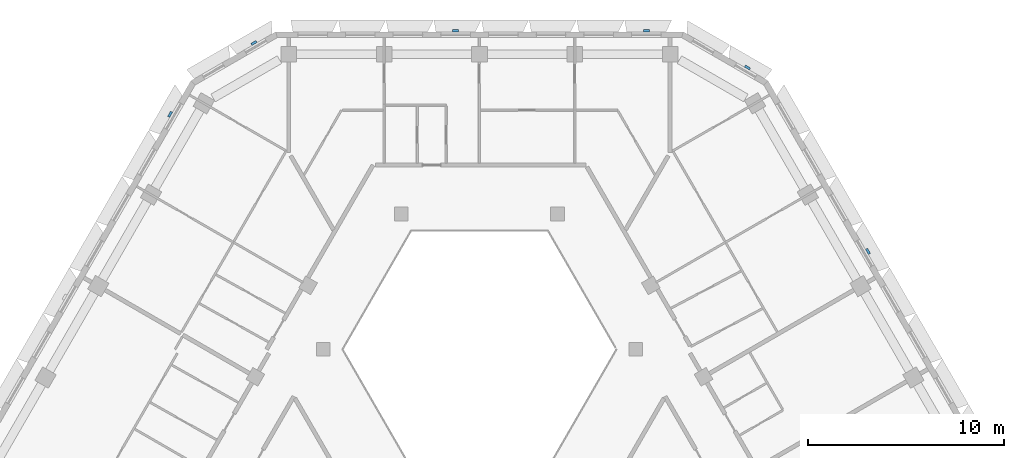
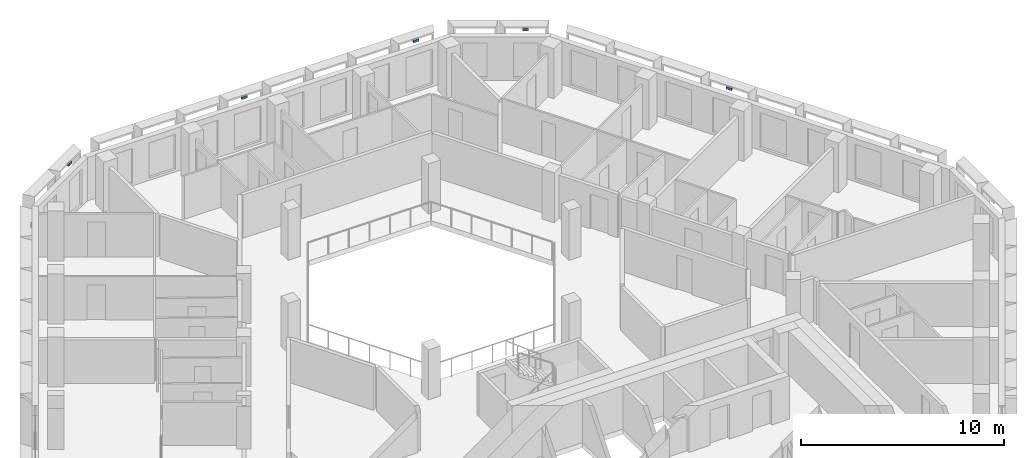
# One storey, part 11 of 18: 6 discrete accessories.
"""IFC4 building model written with IfcOpenShell, lengths in metres."""

from ifc_helpers import new_model, si_unit, direction, frame, origin, place, context, subcontext, project, spatial, polyline, outline, extrude, source, transform, mapped, material, type_object, type_shapes, element, save


model = new_model("IFC4")

# Units and contexts
model_context = context("Model", 3, precision=1e-05, world=origin(), true_north=direction((0.0, 1.0)))
body_context = subcontext(model_context, "Body", "Model", "MODEL_VIEW")
ifc_project = project(units=[si_unit("LENGTHUNIT", "METRE"), si_unit("AREAUNIT", "SQUARE_METRE"), si_unit("VOLUMEUNIT", "CUBIC_METRE"), si_unit("PLANEANGLEUNIT", "RADIAN"), si_unit("MASSUNIT", "GRAM", prefix="KILO")], contexts=[model_context])

# Site, building, storey
site_placement = place(None, origin())
site = spatial("IfcSite", under=ifc_project, at=site_placement, CompositionType="ELEMENT")
building_placement = place(site_placement, origin())
building = spatial("IfcBuilding", under=site, at=building_placement, Name="Beryl Residences", CompositionType="ELEMENT")
storey_placement = place(building_placement, frame((0.0, 0.0, 196.199951171875)))
storey = spatial("IfcBuildingStorey", under=building, at=storey_placement, Name="L60", CompositionType="ELEMENT", Elevation=196.199951171875)

# Discrete accessories
ifc_material = material(Name="Steel S355", Category="steel")
discrete_accessory_type = type_object("IfcDiscreteAccessoryType", Name="BR1 frame bracket 300 x 120 x 150 mm", PredefinedType="BRACKET", material=ifc_material)
shared_shape = source(origin(), body_context, "Body", "SweptSolid", [
    extrude(outline(polyline([(-0.14990234375, 0.0), (0.14990234375, 0.0), (0.14990234375, 0.1201171875), (-0.14990234375, 0.1201171875), (-0.14990234375, 0.0)])), origin(), (0.0, 0.0, 1.0), 0.14990234375),
])
type_shapes(discrete_accessory_type, [shared_shape])
for number, where, z_axis, x_axis, name in (
    (1, (8.511962890625, 24.199951171875, 2.75), (0.0, 0.0, 1.0), (1.0, 0.0, 0.0), "BR1 bracket L60 N 1"),
    (2, (-1.216064453125, 24.199951171875, 2.75), (0.0, 0.0, 1.0), (1.0, 0.0, 0.0), "BR1 bracket L60 N 5"),
    (3, (-11.47412109375, 23.574951171875, 2.75), (0.0, 0.0, 1.0), (0.866025403784, 0.5, 0.0), "BR1 bracket L60 N-NW 1"),
    (4, (-15.72705078125, 19.9599609375, 2.75), (0.0, 0.0, 1.0), (0.5, 0.866025403784, 0.0), "BR1 bracket L60 NW 1"),
    (5, (19.764892578125, 12.966064453125, 2.75), (0.0, 0.0, 1.0), (0.5, -0.866025403784, 0.0), "BR1 bracket L60 NE 5"),
    (6, (13.638916015625, 22.324951171875, 2.75), (0.0, 0.0, 1.0), (0.866025403784, -0.5, 0.0), "BR1 bracket L60 NE-N 1"),
):
    element("IfcDiscreteAccessory", number, at=place(storey_placement, frame(where, z_axis=z_axis, x_axis=x_axis)), inside=storey, type_object=discrete_accessory_type, Name=name, PredefinedType="BRACKET", context=body_context, shape_type="MappedRepresentation", body=[
        mapped(shared_shape, transform((0.0, 0.0, 0.0))),
    ])

save(model, "model.ifc")
